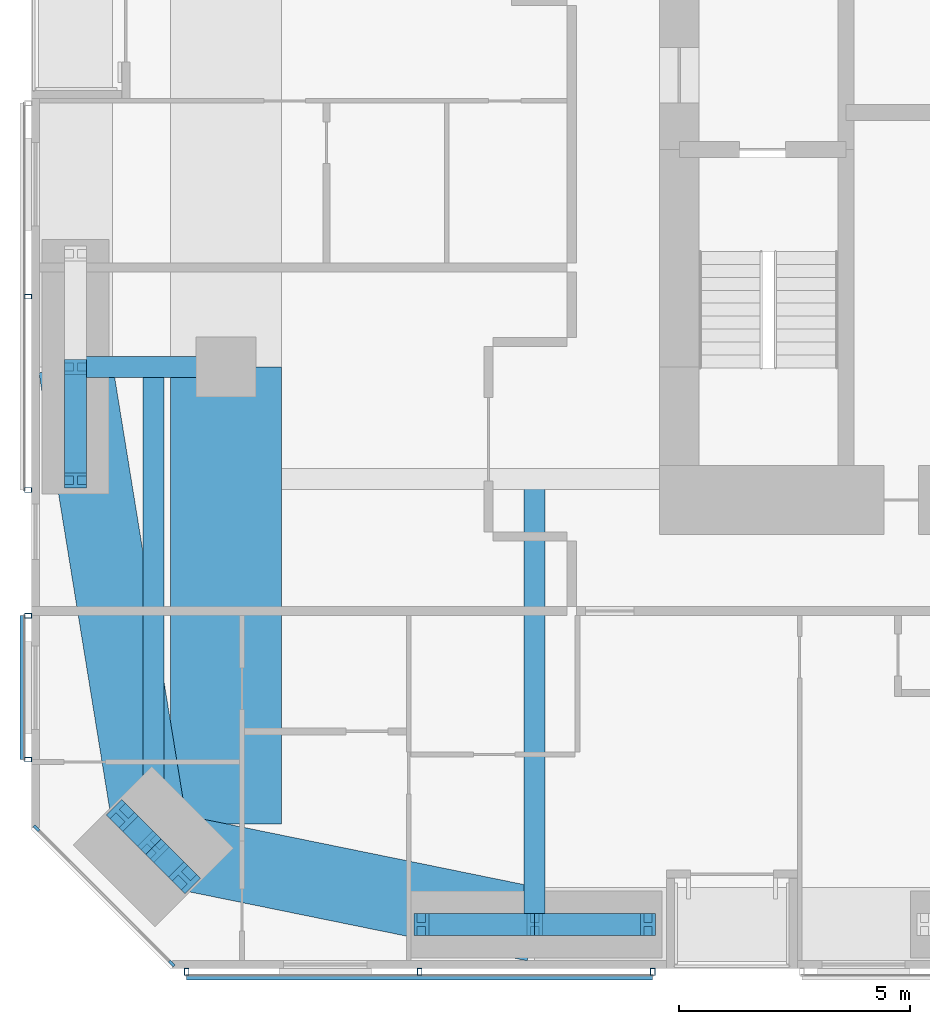
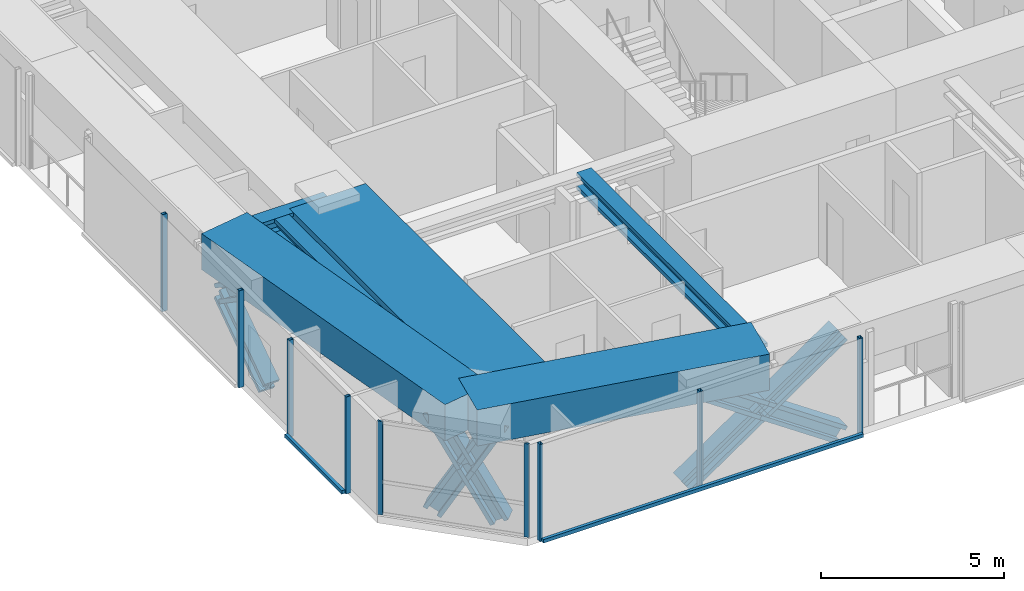
# One storey, part 2 of 24: 21 members, 6 beams, 4 elements without a shape of their own.
"""IFC4 building model written with IfcOpenShell, lengths in metres."""

import ifcopenshell
import ifcopenshell.guid

model = None  # the IFC model being written
_history = None  # IfcOwnerHistory: only IFC2X3 demands one
_inside = {}  # id of a spatial element -> (the spatial element, [elements in it])
_under = {}  # id of a project, library or spatial element -> (it, [spatial elements below it])
_declared = {}  # id of a project -> (the project, [libraries it declares])
_typed = {}  # id of a type object -> (the type object, [elements of that type])
_made_of = {}  # id of a material, layer set ... -> (it, [elements and type objects made of it])


def new_model(schema):
    """Start an empty IFC model of exactly this schema.

    Asked for "IFC4X3", IfcOpenShell would pick the latest addendum, in which some entities
    have other attributes; the version numbers below select the first issue.
    IFC2X3 requires an IfcOwnerHistory on every rooted entity: one is made here for all.
    """
    global model, _history
    if schema == "IFC4X3":
        model = ifcopenshell.file(schema_version=(4, 3, 0, 0))
    else:
        model = ifcopenshell.file(schema=schema)
    _inside.clear()
    _under.clear()
    _declared.clear()
    _typed.clear()
    _made_of.clear()
    _history = None
    if model.schema == "IFC2X3":
        org = make("IfcOrganization", Name="unknown")
        user = make(
            "IfcPersonAndOrganization",
            ThePerson=make("IfcPerson", FamilyName="unknown"),
            TheOrganization=org,
        )
        app = make(
            "IfcApplication",
            ApplicationDeveloper=org,
            Version="unknown",
            ApplicationFullName="unknown",
            ApplicationIdentifier="unknown",
        )
        _history = make(
            "IfcOwnerHistory",
            OwningUser=user,
            OwningApplication=app,
            ChangeAction="ADDED",
            CreationDate=0,
        )
    return model


def make(cls, **values):
    """One entity of the class cls with the attributes given. An attribute that is None is left unset."""
    return model.create_entity(
        cls, **{name: value for name, value in values.items() if value is not None}
    )


def rooted(cls, **values):
    """An entity with a GlobalId (a new one), such as an element, a storey or a relation."""
    return make(cls, GlobalId=ifcopenshell.guid.new(), OwnerHistory=_history, **values)


def si_unit(unit_type, name, prefix=None):
    """IfcSIUnit, for example si_unit("LENGTHUNIT", "METRE", prefix="MILLI")."""
    return make("IfcSIUnit", UnitType=unit_type, Prefix=prefix, Name=name)


def assignment(units):
    """IfcUnitAssignment: the units of a project."""
    return None if units is None else make("IfcUnitAssignment", Units=units)


def point(xyz):
    """IfcCartesianPoint."""
    return None if xyz is None else make("IfcCartesianPoint", Coordinates=xyz)


def direction(xyz):
    """IfcDirection."""
    return None if xyz is None else make("IfcDirection", DirectionRatios=xyz)


def frame(location, z_axis=None, x_axis=None):
    """IfcAxis2Placement3D, a coordinate frame: its origin and axes. An axis left out is left unset."""
    return make(
        "IfcAxis2Placement3D",
        Location=point(location),
        Axis=direction(z_axis),
        RefDirection=direction(x_axis),
    )


def frame_2d(location, x_axis=None):
    """IfcAxis2Placement2D, a coordinate frame in the plane: its origin and x axis."""
    return make(
        "IfcAxis2Placement2D", Location=point(location), RefDirection=direction(x_axis)
    )


def origin():
    """The frame at (0, 0, 0) with its axes left unset."""
    return frame((0.0, 0.0, 0.0))


def origin_2d():
    """The frame at (0, 0) in the plane with its x axis left unset."""
    return frame_2d((0.0, 0.0))


def place(relative_to, where):
    """IfcLocalPlacement: puts the frame where relative to a parent placement (None: the world)."""
    return make(
        "IfcLocalPlacement", PlacementRelTo=relative_to, RelativePlacement=where
    )


def context(
    kind, dimensions, precision=None, world=None, true_north=None, identifier=None
):
    """IfcGeometricRepresentationContext, for example the 3D "Model" context."""
    return make(
        "IfcGeometricRepresentationContext",
        ContextIdentifier=identifier,
        ContextType=kind,
        CoordinateSpaceDimension=dimensions,
        Precision=precision,
        WorldCoordinateSystem=world,
        TrueNorth=true_north,
    )


def subcontext(parent, identifier, kind, view, scale=None):
    """IfcGeometricRepresentationSubContext, for example "Body" below "Model"."""
    return make(
        "IfcGeometricRepresentationSubContext",
        ContextIdentifier=identifier,
        ContextType=kind,
        ParentContext=parent,
        TargetScale=scale,
        TargetView=view,
    )


def project(units=None, contexts=None):
    """IfcProject with its units and contexts."""
    return rooted(
        "IfcProject",
        Name="project",
        RepresentationContexts=contexts,
        UnitsInContext=assignment(units),
    )


def spatial(cls, under=None, at=None, **own):
    """A site, building, storey or space (cls), placed at a placement, below another one or the project."""
    s = rooted(cls, ObjectPlacement=at, **own)
    if under is not None:
        _under.setdefault(under.id(), (under, []))[1].append(s)
    return s


def profile(cls, at=None, kind="AREA", **sizes):
    """A parametric profile (cls). Its sizes go by their IFC names, for example OverallWidth=200.0."""
    return make(cls, ProfileType=kind, Position=at, **sizes)


def rectangle(**sizes):
    """IfcRectangleProfileDef."""
    return profile("IfcRectangleProfileDef", **sizes)


def hollow_rectangle(**sizes):
    """IfcRectangleHollowProfileDef."""
    return profile("IfcRectangleHollowProfileDef", **sizes)


def i_section(**sizes):
    """IfcIShapeProfileDef."""
    return profile("IfcIShapeProfileDef", **sizes)


def extrude(swept, where, along, depth):
    """IfcExtrudedAreaSolid: the profile swept, set in the frame where, extruded along a direction by depth."""
    return make(
        "IfcExtrudedAreaSolid",
        SweptArea=swept,
        Position=where,
        ExtrudedDirection=direction(along),
        Depth=depth,
    )


def shape(context_of_items, identifier, shape_type, items):
    """IfcShapeRepresentation: the items that make up one representation, for example the "Body"."""
    return make(
        "IfcShapeRepresentation",
        ContextOfItems=context_of_items,
        RepresentationIdentifier=identifier,
        RepresentationType=shape_type,
        Items=items,
    )


def material(Name=None, Category=None):
    """IfcMaterial."""
    return make("IfcMaterial", Name=Name, Category=Category)


def material_profile(
    of_material, cross_section, Name=None, Category=None, Priority=None
):
    """IfcMaterialProfile: a cross section and its material."""
    return make(
        "IfcMaterialProfile",
        Name=Name,
        Material=of_material,
        Profile=cross_section,
        Priority=Priority,
        Category=Category,
    )


def profile_set(profiles, Name=None, composite=None):
    """IfcMaterialProfileSet."""
    return make(
        "IfcMaterialProfileSet",
        Name=Name,
        MaterialProfiles=profiles,
        CompositeProfile=composite,
    )


def made_of(thing, what):
    """Note that an element or type object is made of a material, layer set ...; save() writes the relation."""
    if what is not None:
        _made_of.setdefault(what.id(), (what, []))[1].append(thing)
    return thing


def type_object(cls, material=None, **own):
    """A type object (cls), such as IfcWallType, which elements share."""
    return made_of(rooted(cls, **own), material)


def element(
    cls,
    number,
    at=None,
    inside=None,
    cuts=None,
    type_object=None,
    material=None,
    context=None,
    identifier="Body",
    shape_type=None,
    held_by="IfcProductDefinitionShape",
    body=None,
    shapes=None,
    **own,
):
    """One element of the class cls, such as IfcWall. Its Tag is "e" and its number.

    at: its placement. inside: the storey or other place that contains it. cuts: it is an
    opening in that element (IfcRelVoidsElement). A single representation is given by context,
    identifier, shape_type and body (its items); several are given by shapes. held_by: the class
    of the entity that holds the representations. save() writes the other relations.
    """
    e = rooted(cls, Tag="e%d" % number, ObjectPlacement=at, **own)
    if body is not None:
        shapes = [shape(context, identifier, shape_type, body)]
    if shapes is not None:
        e.Representation = make(held_by, Representations=shapes)
    if inside is not None:
        _inside.setdefault(inside.id(), (inside, []))[1].append(e)
    if cuts is not None:
        rooted(
            "IfcRelVoidsElement", RelatingBuildingElement=cuts, RelatedOpeningElement=e
        )
    if type_object is not None:
        _typed.setdefault(type_object.id(), (type_object, []))[1].append(e)
    return made_of(e, material)


def aggregate(whole, parts):
    """IfcRelAggregates: a whole, such as a stair, and the parts it consists of."""
    return rooted("IfcRelAggregates", RelatingObject=whole, RelatedObjects=parts)


def save(model, path):
    """Write the relations noted so far, then the file.

    IfcRelAggregates (storeys below a building ...), IfcRelContainedInSpatialStructure (elements
    in a storey), IfcRelDefinesByType, IfcRelAssociatesMaterial and IfcRelDeclares: one each for
    every whole, place, type object, material and project.
    """
    for whole, parts in _under.values():
        aggregate(whole, parts)
    for where, things in _inside.values():
        rooted(
            "IfcRelContainedInSpatialStructure",
            RelatedElements=things,
            RelatingStructure=where,
        )
    for kind, things in _typed.values():
        rooted("IfcRelDefinesByType", RelatedObjects=things, RelatingType=kind)
    for what, things in _made_of.values():
        rooted("IfcRelAssociatesMaterial", RelatedObjects=things, RelatingMaterial=what)
    for by, libraries in _declared.values():
        rooted("IfcRelDeclares", RelatingContext=by, RelatedDefinitions=libraries)
    model.write(path)


model = new_model("IFC4")

# Units and contexts
model_context = context("Model", 3, precision=1e-05, world=origin(), true_north=direction((0.0, 1.0)))
body_context = subcontext(model_context, "Body", "Model", "MODEL_VIEW")
ifc_project = project(units=[si_unit("LENGTHUNIT", "METRE"), si_unit("AREAUNIT", "SQUARE_METRE"), si_unit("VOLUMEUNIT", "CUBIC_METRE"), si_unit("PLANEANGLEUNIT", "RADIAN"), si_unit("MASSUNIT", "GRAM", prefix="KILO")], contexts=[model_context])

# Site, building, storey
site_placement = place(None, origin())
site = spatial("IfcSite", under=ifc_project, at=site_placement, CompositionType="ELEMENT")
building_placement = place(site_placement, origin())
building = spatial("IfcBuilding", under=site, at=building_placement, Name="Jalousie Tower", CompositionType="ELEMENT")
storey_placement = place(building_placement, frame((0.0, 0.0, 124.949951171875)))
storey = spatial("IfcBuildingStorey", under=building, at=storey_placement, Name="L34", CompositionType="ELEMENT", Elevation=124.949951171875)

# Curtain wall, members
ifc_material_1 = material(Name="Aluminium curtain wall", Category="aluminium")
curtain_wall_type_1 = type_object("IfcCurtainWallType", Name="CORNER WINDOW WALL", PredefinedType="USERDEFINED", material=ifc_material_1)
curtain_wall_1_placement = place(storey_placement, origin())
curtain_wall_1 = element("IfcCurtainWall", 1, at=curtain_wall_1_placement, inside=storey, type_object=curtain_wall_type_1, Name="Corner Window Wall L34 8", ObjectType="CORNER WINDOW WALL", PredefinedType="USERDEFINED")
ifc_material_2 = material(Name="Aluminium mullion", Category="aluminium")
ifc_material_profile_1 = material_profile(ifc_material_2, rectangle(XDim=0.06005859375, YDim=0.14990234375, at=origin_2d()), Name="MULLION 60x150")
ifc_profile_set_1 = profile_set([ifc_material_profile_1], Name="Aluminium mullion")
member_type_1 = type_object("IfcMemberType", Name="CORNER WINDOW WALL MULLION", PredefinedType="MULLION", material=ifc_profile_set_1)
member_1_placement = place(storey_placement, frame((6.108642578125, 3.030029296875, 0.0), z_axis=(0.0, 0.0, 1.0), x_axis=(0.707106781187, 0.707106781187, 0.0)))
member_1 = element("IfcMember", 2, at=member_1_placement, type_object=member_type_1, Name="CW-C mullion 1", PredefinedType="MULLION", context=body_context, shape_type="SweptSolid", body=[
    extrude(rectangle(XDim=0.06005859375, YDim=0.14990234375, at=origin_2d()), origin(), (0.0, 0.0, 1.0), 3.110107421875),
])
member_2_placement = place(storey_placement, frame((9.030029296875, 0.108642578125, 0.0), z_axis=(0.0, 0.0, 1.0), x_axis=(0.707106781187, 0.707106781187, 0.0)))
member_2 = element("IfcMember", 3, at=member_2_placement, type_object=member_type_1, Name="CW-C mullion 2", PredefinedType="MULLION", context=body_context, shape_type="SweptSolid", body=[
    extrude(rectangle(XDim=0.06005859375, YDim=0.14990234375, at=origin_2d()), origin(), (0.0, 0.0, 1.0), 3.110107421875),
])
aggregate(curtain_wall_1, [member_1, member_2])

# Beams
ifc_material_3 = material(Name="Steel ASTM A992 Grade 50", Category="steel")
ifc_material_profile_2 = material_profile(ifc_material_3, i_section(OverallWidth=0.45458984375, OverallDepth=0.569091796875, WebThickness=0.077880859375, FlangeThickness=0.124755859375, at=origin_2d()), Name="W14X730")
ifc_profile_set_2 = profile_set([ifc_material_profile_2], Name="Steel ASTM A992 Grade 50")
beam_type_1 = type_object("IfcBeamType", Name="LEAN COLLECTOR W14X730", PredefinedType="BEAM", material=ifc_profile_set_2)
beam_1_placement = place(storey_placement, frame((6.949951171875, 13.0, 2.825439453125), z_axis=(1.0, 0.0, 0.0), x_axis=(0.0, 1.0, 0.0)))
element("IfcBeam", 4, at=beam_1_placement, inside=storey, type_object=beam_type_1, Name="Lean collector under L35", PredefinedType="BEAM", context=body_context, shape_type="SweptSolid", body=[
    extrude(i_section(OverallWidth=0.45458984375, OverallDepth=0.569091796875, WebThickness=0.077880859375, FlangeThickness=0.124755859375, at=origin_2d()), origin(), (0.0, 0.0, 1.0), 3.25),
])
beam_2_placement = place(storey_placement, frame((8.63134765625, 2.63134765625, 2.825439453125), z_axis=(0.0, 1.0, 0.0), x_axis=(-1.0, 0.0, 0.0)))
element("IfcBeam", 5, at=beam_2_placement, inside=storey, type_object=beam_type_1, Name="Lean collector under L35", PredefinedType="BEAM", context=body_context, shape_type="SweptSolid", body=[
    extrude(i_section(OverallWidth=0.45458984375, OverallDepth=0.569091796875, WebThickness=0.077880859375, FlangeThickness=0.124755859375, at=origin_2d()), origin(), (0.0, 0.0, 1.0), 10.36865234375),
])
beam_3_placement = place(storey_placement, frame((16.875, 0.949951171875, 2.825439453125), z_axis=(0.0, 1.0, 0.0), x_axis=(-1.0, 0.0, 0.0)))
element("IfcBeam", 6, at=beam_3_placement, inside=storey, type_object=beam_type_1, Name="Lean collector under L35", PredefinedType="BEAM", context=body_context, shape_type="SweptSolid", body=[
    extrude(i_section(OverallWidth=0.45458984375, OverallDepth=0.569091796875, WebThickness=0.077880859375, FlangeThickness=0.124755859375, at=origin_2d()), origin(), (0.0, 0.0, 1.0), 9.625),
])

# Members
ifc_material_4 = material(Name="Steel ASTM A992 Grade 50", Category="steel")
ifc_material_profile_3 = material_profile(ifc_material_4, i_section(OverallWidth=0.472412109375, OverallDepth=0.5791015625, WebThickness=0.094970703125, FlangeThickness=0.1298828125, at=origin_2d()), Name="W14X808")
ifc_profile_set_3 = profile_set([ifc_material_profile_3], Name="Steel ASTM A992 Grade 50")
member_type_2 = type_object("IfcMemberType", Name="PERIMETER BRACE W14X808", PredefinedType="BRACE", material=ifc_profile_set_3)
member_3_placement = place(storey_placement, frame((7.959716796875, 3.302978515625, -0.599853515625), z_axis=(0.348827529765, -0.348827529765, 0.869849819771), x_axis=(0.707106781187, 0.707106781187, 0.0)))
element("IfcMember", 7, at=member_3_placement, inside=storey, type_object=member_type_2, Name="Perimeter brace 01 L34 part 1", PredefinedType="BRACE", context=body_context, shape_type="SweptSolid", body=[
    extrude(i_section(OverallWidth=0.472412109375, OverallDepth=0.5791015625, WebThickness=0.094970703125, FlangeThickness=0.1298828125, at=origin_2d()), origin(), (0.0, 0.0, 1.0), 1.92529296875),
])
member_4_placement = place(storey_placement, frame((8.63134765625, 2.63134765625, 1.074951171875), z_axis=(0.348789058631, -0.348789058631, 0.869880672943), x_axis=(0.707106781187, 0.707106781187, 0.0)))
element("IfcMember", 8, at=member_4_placement, inside=storey, type_object=member_type_2, Name="Perimeter brace 01 L34 part 2", PredefinedType="BRACE", context=body_context, shape_type="SweptSolid", body=[
    extrude(i_section(OverallWidth=0.472412109375, OverallDepth=0.5791015625, WebThickness=0.094970703125, FlangeThickness=0.1298828125, at=origin_2d()), origin(), (0.0, 0.0, 1.0), 1.925537109375),
])
member_5_placement = place(storey_placement, frame((9.302978515625, 1.959716796875, -0.599853515625), z_axis=(-0.348827529765, 0.348827529765, 0.869849819771), x_axis=(-0.707106781187, -0.707106781187, 0.0)))
element("IfcMember", 9, at=member_5_placement, inside=storey, type_object=member_type_2, Name="Perimeter brace 01 L34 part 3", PredefinedType="BRACE", context=body_context, shape_type="SweptSolid", body=[
    extrude(i_section(OverallWidth=0.472412109375, OverallDepth=0.5791015625, WebThickness=0.094970703125, FlangeThickness=0.1298828125, at=origin_2d()), origin(), (0.0, 0.0, 1.0), 1.92529296875),
])
member_6_placement = place(storey_placement, frame((8.63134765625, 2.63134765625, 1.074951171875), z_axis=(-0.348789058631, 0.348789058631, 0.869880672943), x_axis=(-0.707106781187, -0.707106781187, 0.0)))
element("IfcMember", 10, at=member_6_placement, inside=storey, type_object=member_type_2, Name="Perimeter brace 01 L34 part 4", PredefinedType="BRACE", context=body_context, shape_type="SweptSolid", body=[
    extrude(i_section(OverallWidth=0.472412109375, OverallDepth=0.5791015625, WebThickness=0.094970703125, FlangeThickness=0.1298828125, at=origin_2d()), origin(), (0.0, 0.0, 1.0), 1.925537109375),
])
for number, where, z_axis, x_axis, name in (
    (11, (14.425048828125, 0.949951171875, -0.599853515625), (0.825539243753, 0.0, 0.564344714713), (0.0, 1.0, 0.0), "Perimeter brace 02 L34 part 1"),
    (12, (16.875, 0.949951171875, 1.074951171875), (0.825500916831, 0.0, 0.564400776321), (0.0, 1.0, 0.0), "Perimeter brace 02 L34 part 2"),
    (13, (19.324951171875, 0.949951171875, -0.599853515625), (-0.825539243753, 0.0, 0.564344714713), (0.0, -1.0, 0.0), "Perimeter brace 02 L34 part 3"),
    (14, (16.875, 0.949951171875, 1.074951171875), (-0.825500916831, 0.0, 0.564400776321), (0.0, -1.0, 0.0), "Perimeter brace 02 L34 part 4"),
    (15, (6.949951171875, 10.550048828125, -0.599853515625), (0.0, 0.825539243753, 0.564344714713), (-1.0, 0.0, 0.0), "Perimeter brace 14 L34 part 1"),
    (16, (6.949951171875, 13.0, 1.074951171875), (0.0, -0.825500916831, 0.564400776321), (1.0, 0.0, 0.0), "Perimeter brace 14 L34 part 4"),
):
    element("IfcMember", number, at=place(storey_placement, frame(where, z_axis=z_axis, x_axis=x_axis)), inside=storey, type_object=member_type_2, Name=name, PredefinedType="BRACE", context=body_context, shape_type="SweptSolid", body=[
        extrude(i_section(OverallWidth=0.472412109375, OverallDepth=0.5791015625, WebThickness=0.094970703125, FlangeThickness=0.1298828125, at=origin_2d()), origin(), (0.0, 0.0, 1.0), 2.9677734375),
    ])

# Beams
ifc_material_5 = material(Name="Concrete f'c 40 MPa", Category="concrete")
ifc_material_profile_4 = material_profile(ifc_material_5, rectangle(XDim=1.60009765625, YDim=1.199951171875, at=origin_2d()), Name="RC 1600x1200")
ifc_profile_set_4 = profile_set([ifc_material_profile_4], Name="Concrete f'c 40 MPa")
beam_type_2 = type_object("IfcBeamType", Name="RC BEAM 1600x1200", PredefinedType="BEAM", material=ifc_profile_set_4)
beam_4_placement = place(storey_placement, frame((8.63134765625, 2.63134765625, 2.75), z_axis=(0.97982690954, -0.199848010602, 0.0), x_axis=(0.199848010602, 0.97982690954, 0.0)))
element("IfcBeam", 17, at=beam_4_placement, inside=storey, type_object=beam_type_2, Name="Edge band beam 01-02 under L35", PredefinedType="BEAM", context=body_context, shape_type="SweptSolid", body=[
    extrude(rectangle(XDim=1.60009765625, YDim=1.199951171875, at=origin_2d()), origin(), (0.0, 0.0, 1.0), 8.413330078125),
])
beam_5_placement = place(storey_placement, frame((6.949951171875, 13.0, 2.75), z_axis=(0.160070546476, -0.987105577003, 0.0), x_axis=(0.987105577003, 0.160070546476, 0.0)))
element("IfcBeam", 18, at=beam_5_placement, inside=storey, type_object=beam_type_2, Name="Edge band beam 14-01 under L35", PredefinedType="BEAM", context=body_context, shape_type="SweptSolid", body=[
    extrude(rectangle(XDim=1.60009765625, YDim=1.199951171875, at=origin_2d()), origin(), (0.0, 0.0, 1.0), 10.504150390625),
])
ifc_material_6 = material(Name="Concrete f'c 40 MPa", Category="concrete")
ifc_material_profile_5 = material_profile(ifc_material_6, rectangle(XDim=2.39990234375, YDim=0.60009765625, at=origin_2d()), Name="RC 2400x600")
ifc_profile_set_5 = profile_set([ifc_material_profile_5], Name="Concrete f'c 40 MPa")
beam_type_3 = type_object("IfcBeamType", Name="RC BEAM 2400x600", PredefinedType="BEAM", material=ifc_profile_set_5)
beam_6_placement = place(storey_placement, frame((10.199951171875, 13.0, 2.81005859375), z_axis=(0.0, -1.0, 0.0), x_axis=(1.0, 0.0, 0.0)))
element("IfcBeam", 19, at=beam_6_placement, inside=storey, type_object=beam_type_3, Name="Floor band beam under L35", PredefinedType="BEAM", context=body_context, shape_type="SweptSolid", body=[
    extrude(rectangle(XDim=2.39990234375, YDim=0.60009765625, at=origin_2d()), origin(), (0.0, 0.0, 1.0), 9.8720703125),
])

# Curtain wall, members
ifc_material_7 = material(Name="Perforated aluminium sheet", Category="aluminium")
curtain_wall_type_2 = type_object("IfcCurtainWallType", Name="SOLAR SCREEN SS-1", PredefinedType="USERDEFINED", material=ifc_material_7)
curtain_wall_2_placement = place(storey_placement, origin())
curtain_wall_2 = element("IfcCurtainWall", 20, at=curtain_wall_2_placement, inside=storey, type_object=curtain_wall_type_2, Name="Solar screen L34", ObjectType="SOLAR SCREEN SS-1", PredefinedType="USERDEFINED")
ifc_material_8 = material(Name="Steel ASTM A500 Grade C", Category="steel")
ifc_material_profile_6 = material_profile(ifc_material_8, hollow_rectangle(XDim=0.1015625, YDim=0.15234375, WallThickness=0.00634765625, at=origin_2d()), Name="HSS6X4X1/4")
ifc_profile_set_6 = profile_set([ifc_material_profile_6], Name="Steel ASTM A500 Grade C")
member_type_3 = type_object("IfcMemberType", Name="SOLAR SCREEN SS-1 MULLION", PredefinedType="MULLION", material=ifc_profile_set_6)
member_7_placement = place(storey_placement, frame((9.351318359375, -0.0712890625, -0.119873046875), z_axis=(0.0, 0.0, 1.0), x_axis=(1.0, 0.0, 0.0)))
member_7 = element("IfcMember", 21, at=member_7_placement, type_object=member_type_3, Name="SS1 post 1", PredefinedType="MULLION", context=body_context, shape_type="SweptSolid", body=[
    extrude(hollow_rectangle(XDim=0.1015625, YDim=0.15234375, WallThickness=0.00634765625, at=origin_2d()), origin(), (0.0, 0.0, 1.0), 3.22998046875),
])
member_8_placement = place(storey_placement, frame((14.38818359375, -0.0712890625, -0.119873046875), z_axis=(0.0, 0.0, 1.0), x_axis=(1.0, 0.0, 0.0)))
member_8 = element("IfcMember", 22, at=member_8_placement, type_object=member_type_3, Name="SS1 post 2", PredefinedType="MULLION", context=body_context, shape_type="SweptSolid", body=[
    extrude(hollow_rectangle(XDim=0.1015625, YDim=0.15234375, WallThickness=0.00634765625, at=origin_2d()), origin(), (0.0, 0.0, 1.0), 3.22998046875),
])
member_9_placement = place(storey_placement, frame((19.425048828125, -0.0712890625, -0.119873046875), z_axis=(0.0, 0.0, 1.0), x_axis=(1.0, 0.0, 0.0)))
member_9 = element("IfcMember", 23, at=member_9_placement, type_object=member_type_3, Name="SS1 post 3", PredefinedType="MULLION", context=body_context, shape_type="SweptSolid", body=[
    extrude(hollow_rectangle(XDim=0.1015625, YDim=0.15234375, WallThickness=0.00634765625, at=origin_2d()), origin(), (0.0, 0.0, 1.0), 3.22998046875),
])

curtain_wall_3_placement = place(storey_placement, origin())
curtain_wall_3 = element("IfcCurtainWall", 24, at=curtain_wall_3_placement, inside=storey, type_object=curtain_wall_type_2, Name="Solar screen L34", ObjectType="SOLAR SCREEN SS-1", PredefinedType="USERDEFINED")
member_10_placement = place(storey_placement, frame((5.9287109375, 14.520263671875, -0.119873046875), z_axis=(0.0, 0.0, 1.0), x_axis=(0.0, -1.0, 0.0)))
member_10 = element("IfcMember", 25, at=member_10_placement, type_object=member_type_3, Name="SS1 post 2", PredefinedType="MULLION", context=body_context, shape_type="SweptSolid", body=[
    extrude(hollow_rectangle(XDim=0.1015625, YDim=0.15234375, WallThickness=0.00634765625, at=origin_2d()), origin(), (0.0, 0.0, 1.0), 3.22998046875),
])
member_11_placement = place(storey_placement, frame((5.9287109375, 10.340576171875, -0.119873046875), z_axis=(0.0, 0.0, 1.0), x_axis=(0.0, -1.0, 0.0)))
member_11 = element("IfcMember", 26, at=member_11_placement, type_object=member_type_3, Name="SS1 post 3", PredefinedType="MULLION", context=body_context, shape_type="SweptSolid", body=[
    extrude(hollow_rectangle(XDim=0.1015625, YDim=0.15234375, WallThickness=0.00634765625, at=origin_2d()), origin(), (0.0, 0.0, 1.0), 3.22998046875),
])
aggregate(curtain_wall_3, [member_10, member_11])

curtain_wall_4_placement = place(storey_placement, origin())
curtain_wall_4 = element("IfcCurtainWall", 27, at=curtain_wall_4_placement, inside=storey, type_object=curtain_wall_type_2, Name="Solar screen L34", ObjectType="SOLAR SCREEN SS-1", PredefinedType="USERDEFINED")
member_12_placement = place(storey_placement, frame((5.9287109375, 7.625, -0.119873046875), z_axis=(0.0, 0.0, 1.0), x_axis=(0.0, -1.0, 0.0)))
member_12 = element("IfcMember", 28, at=member_12_placement, type_object=member_type_3, Name="SS1 post 1", PredefinedType="MULLION", context=body_context, shape_type="SweptSolid", body=[
    extrude(hollow_rectangle(XDim=0.1015625, YDim=0.15234375, WallThickness=0.00634765625, at=origin_2d()), origin(), (0.0, 0.0, 1.0), 3.22998046875),
])
member_13_placement = place(storey_placement, frame((5.9287109375, 4.513916015625, -0.119873046875), z_axis=(0.0, 0.0, 1.0), x_axis=(0.0, -1.0, 0.0)))
member_13 = element("IfcMember", 29, at=member_13_placement, type_object=member_type_3, Name="SS1 post 2", PredefinedType="MULLION", context=body_context, shape_type="SweptSolid", body=[
    extrude(hollow_rectangle(XDim=0.1015625, YDim=0.15234375, WallThickness=0.00634765625, at=origin_2d()), origin(), (0.0, 0.0, 1.0), 3.22998046875),
])

# Member
ifc_material_9 = material(Name="Extruded aluminium screen rail", Category="aluminium")
ifc_material_profile_7 = material_profile(ifc_material_9, rectangle(XDim=0.1015625, YDim=0.1201171875, at=origin_2d()), Name="RAIL 102x120")
ifc_profile_set_7 = profile_set([ifc_material_profile_7], Name="Extruded aluminium screen rail")
member_type_4 = type_object("IfcMemberType", Name="SOLAR SCREEN SS-1 TRANSOM", PredefinedType="USERDEFINED", material=ifc_profile_set_7)
member_14_placement = place(storey_placement, frame((9.351318359375, -0.1982421875, -0.06005859375), z_axis=(1.0, 0.0, 0.0), x_axis=(0.0, 1.0, 0.0)))
member_14 = element("IfcMember", 30, at=member_14_placement, type_object=member_type_4, Name="SS1 rail", ObjectType="TRANSOM", PredefinedType="USERDEFINED", context=body_context, shape_type="SweptSolid", body=[
    extrude(rectangle(XDim=0.1015625, YDim=0.1201171875, at=origin_2d()), origin(), (0.0, 0.0, 1.0), 10.07373046875),
])

aggregate(curtain_wall_2, [member_7, member_8, member_9, member_14])

member_15_placement = place(storey_placement, frame((5.8017578125, 7.625, -0.06005859375), z_axis=(0.0, -1.0, 0.0), x_axis=(1.0, 0.0, 0.0)))
member_15 = element("IfcMember", 31, at=member_15_placement, type_object=member_type_4, Name="SS1 rail", ObjectType="TRANSOM", PredefinedType="USERDEFINED", context=body_context, shape_type="SweptSolid", body=[
    extrude(rectangle(XDim=0.1015625, YDim=0.1201171875, at=origin_2d()), origin(), (0.0, 0.0, 1.0), 3.111083984375),
])

aggregate(curtain_wall_4, [member_12, member_13, member_15])

save(model, "model.ifc")
